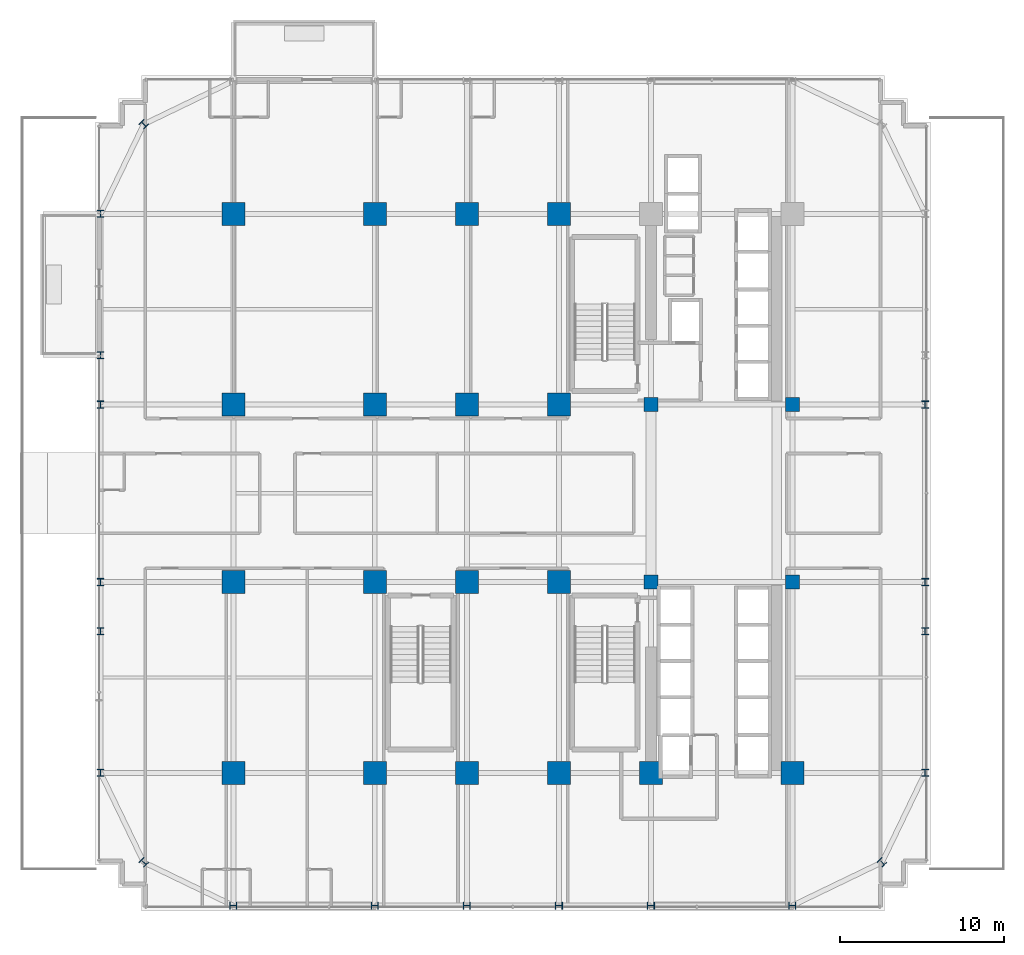
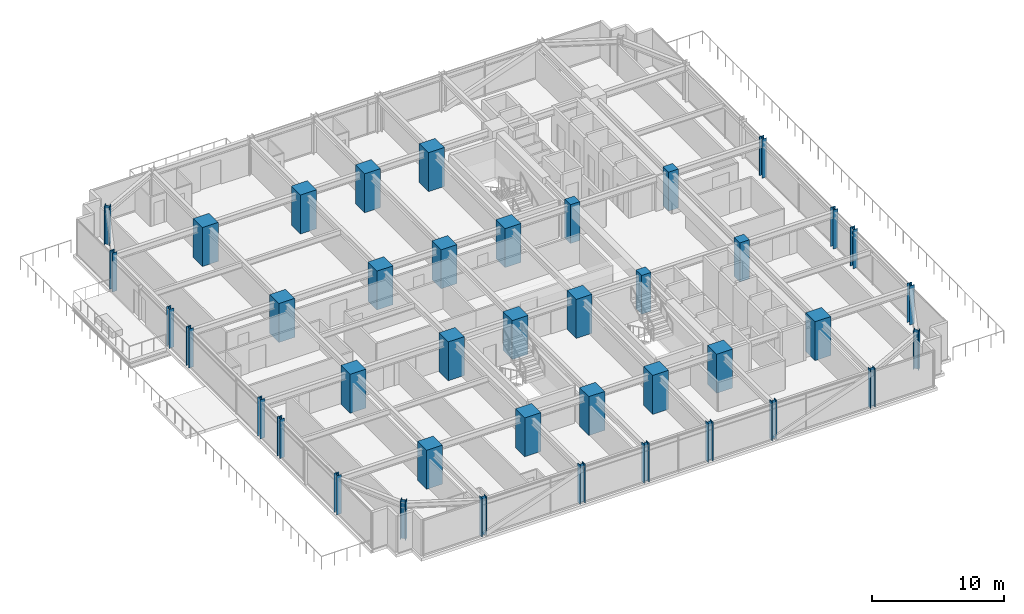
# One storey, part 1 of 39: 41 columns.
"""IFC4 building model written with IfcOpenShell, lengths in metres."""

from ifc_helpers import new_model, si_unit, direction, frame, origin, origin_2d, place, context, subcontext, project, spatial, rectangle, i_section, extrude, source, transform, mapped, material, material_profile, profile_set, type_object, element, save


model = new_model("IFC4")

# Units and contexts
model_context = context("Model", 3, precision=1e-05, world=origin(), true_north=direction((0.0, 1.0)))
body_context = subcontext(model_context, "Body", "Model", "MODEL_VIEW")
ifc_project = project(units=[si_unit("LENGTHUNIT", "METRE"), si_unit("AREAUNIT", "SQUARE_METRE"), si_unit("VOLUMEUNIT", "CUBIC_METRE"), si_unit("PLANEANGLEUNIT", "RADIAN"), si_unit("MASSUNIT", "GRAM", prefix="KILO")], contexts=[model_context])

# Site, building, storey
site_placement = place(None, origin())
site = spatial("IfcSite", under=ifc_project, at=site_placement, CompositionType="ELEMENT")
building_placement = place(site_placement, origin())
building = spatial("IfcBuilding", under=site, at=building_placement, Name="Nahalor Promenade Grand Hotel", CompositionType="ELEMENT")
storey_placement = place(building_placement, frame((0.0, 0.0, 32.39990234375)))
storey = spatial("IfcBuildingStorey", under=building, at=storey_placement, Name="L06", CompositionType="ELEMENT", Elevation=32.39990234375)

# Columns
ifc_material_1 = material(Name="Concrete B-70 (C60/75)", Category="concrete")
ifc_material_profile_1 = material_profile(ifc_material_1, rectangle(XDim=1.4, YDim=1.4, at=origin_2d()), Name="RC 1400x1400")
ifc_profile_set_1 = profile_set([ifc_material_profile_1], Name="Concrete B-70 (C60/75)")
column_type_1 = type_object("IfcColumnType", Name="Col-RC-1400", PredefinedType="COLUMN", material=ifc_profile_set_1)
shared_shape_1 = source(origin(), body_context, "Body", "SweptSolid", [
    extrude(rectangle(XDim=1.4, YDim=1.4, at=origin_2d()), origin(), (0.0, 0.0, 1.0), 3.60498046875),
])
for number, where, z_axis, x_axis, name in (
    (1, (-17.0, -17.0, 0.0), (0.0, 0.0, 1.0), (1.0, 0.0, 0.0), "COL-L06-I00"),
    (2, (-17.0, -5.39990234375, 0.0), (0.0, 0.0, 1.0), (1.0, 0.0, 0.0), "COL-L06-I01"),
    (3, (-17.0, 5.39990234375, 0.0), (0.0, 0.0, 1.0), (1.0, 0.0, 0.0), "COL-L06-I02"),
    (4, (-17.0, 17.0, 0.0), (0.0, 0.0, 1.0), (1.0, 0.0, 0.0), "COL-L06-I03"),
    (5, (-8.39990234375, -17.0, 0.0), (0.0, 0.0, 1.0), (1.0, 0.0, 0.0), "COL-L06-I10"),
    (6, (-8.39990234375, -5.39990234375, 0.0), (0.0, 0.0, 1.0), (1.0, 0.0, 0.0), "COL-L06-I11"),
    (7, (-8.39990234375, 5.39990234375, 0.0), (0.0, 0.0, 1.0), (1.0, 0.0, 0.0), "COL-L06-I12"),
    (8, (-8.39990234375, 17.0, 0.0), (0.0, 0.0, 1.0), (1.0, 0.0, 0.0), "COL-L06-I13"),
    (9, (-2.800048828125, -17.0, 0.0), (0.0, 0.0, 1.0), (1.0, 0.0, 0.0), "COL-L06-I20"),
    (10, (-2.800048828125, -5.39990234375, 0.0), (0.0, 0.0, 1.0), (1.0, 0.0, 0.0), "COL-L06-I21"),
    (11, (-2.800048828125, 5.39990234375, 0.0), (0.0, 0.0, 1.0), (1.0, 0.0, 0.0), "COL-L06-I22"),
    (12, (-2.800048828125, 17.0, 0.0), (0.0, 0.0, 1.0), (1.0, 0.0, 0.0), "COL-L06-I23"),
    (13, (2.800048828125, -17.0, 0.0), (0.0, 0.0, 1.0), (1.0, 0.0, 0.0), "COL-L06-I30"),
    (14, (2.800048828125, -5.39990234375, 0.0), (0.0, 0.0, 1.0), (1.0, 0.0, 0.0), "COL-L06-I31"),
    (15, (2.800048828125, 5.39990234375, 0.0), (0.0, 0.0, 1.0), (1.0, 0.0, 0.0), "COL-L06-I32"),
    (16, (2.800048828125, 17.0, 0.0), (0.0, 0.0, 1.0), (1.0, 0.0, 0.0), "COL-L06-I33"),
    (17, (8.39990234375, -17.0, 0.0), (0.0, 0.0, 1.0), (1.0, 0.0, 0.0), "COL-L06-I40"),
    (18, (17.0, -17.0, 0.0), (0.0, 0.0, 1.0), (1.0, 0.0, 0.0), "COL-L06-I50"),
):
    element("IfcColumn", number, at=place(storey_placement, frame(where, z_axis=z_axis, x_axis=x_axis)), inside=storey, type_object=column_type_1, Name=name, PredefinedType="COLUMN", context=body_context, shape_type="MappedRepresentation", body=[
        mapped(shared_shape_1, transform((0.0, 0.0, 0.0), scale=1.0)),
    ])
ifc_material_profile_2 = material_profile(ifc_material_1, rectangle(XDim=0.85, YDim=0.85, at=origin_2d()), Name="RC 850x850")
ifc_profile_set_2 = profile_set([ifc_material_profile_2], Name="Concrete B-70 (C60/75)")
column_type_2 = type_object("IfcColumnType", Name="Col-Pilaster-850", PredefinedType="PILASTER", material=ifc_profile_set_2)
shared_shape_2 = source(origin(), body_context, "Body", "SweptSolid", [
    extrude(rectangle(XDim=0.85, YDim=0.85, at=origin_2d()), origin(), (0.0, 0.0, 1.0), 3.60498046875),
])
for number, where, z_axis, x_axis, name in (
    (19, (8.39990234375, -5.39990234375, 0.0), (0.0, 0.0, 1.0), (1.0, 0.0, 0.0), "COL-L06-I41"),
    (20, (8.39990234375, 5.39990234375, 0.0), (0.0, 0.0, 1.0), (1.0, 0.0, 0.0), "COL-L06-I42"),
    (21, (17.0, -5.39990234375, 0.0), (0.0, 0.0, 1.0), (1.0, 0.0, 0.0), "COL-L06-I51"),
    (22, (17.0, 5.39990234375, 0.0), (0.0, 0.0, 1.0), (1.0, 0.0, 0.0), "COL-L06-I52"),
):
    element("IfcColumn", number, at=place(storey_placement, frame(where, z_axis=z_axis, x_axis=x_axis)), inside=storey, type_object=column_type_2, Name=name, PredefinedType="PILASTER", context=body_context, shape_type="MappedRepresentation", body=[
        mapped(shared_shape_2, transform((0.0, 0.0, 0.0), scale=1.0)),
    ])
ifc_material_2 = material(Name="Steel S355J2", Category="steel")
ifc_material_profile_3 = material_profile(ifc_material_2, i_section(OverallWidth=0.412, OverallDepth=0.438, WebThickness=0.0226, FlangeThickness=0.0365, at=origin_2d()), Name="HD 400x463")
ifc_profile_set_3 = profile_set([ifc_material_profile_3], Name="Steel S355J2")
column_type_3 = type_object("IfcColumnType", Name="Col-Steel-HD463", PredefinedType="COLUMN", material=ifc_profile_set_3)
shared_shape_3 = source(origin(), body_context, "Body", "SweptSolid", [
    extrude(i_section(OverallWidth=0.412, OverallDepth=0.438, WebThickness=0.0226, FlangeThickness=0.0365, at=origin_2d()), origin(), (0.0, 0.0, 1.0), 3.60498046875),
])
for number, where, z_axis, x_axis, name in (
    (23, (-25.080078125, -17.0, 0.0), (0.0, 0.0, 1.0), (1.0, 0.0, 0.0), "COL-L06-PW-W0"),
    (24, (25.080078125, -17.0, 0.0), (0.0, 0.0, 1.0), (1.0, 0.0, 0.0), "COL-L06-PW-E0"),
    (25, (-25.080078125, -8.39990234375, 0.0), (0.0, 0.0, 1.0), (1.0, 0.0, 0.0), "COL-L06-PW-W1"),
    (26, (25.080078125, -8.39990234375, 0.0), (0.0, 0.0, 1.0), (1.0, 0.0, 0.0), "COL-L06-PW-E1"),
    (27, (-25.080078125, -5.39990234375, 0.0), (0.0, 0.0, 1.0), (1.0, 0.0, 0.0), "COL-L06-PW-W2"),
    (28, (25.080078125, -5.39990234375, 0.0), (0.0, 0.0, 1.0), (1.0, 0.0, 0.0), "COL-L06-PW-E2"),
    (29, (-25.080078125, 5.39990234375, 0.0), (0.0, 0.0, 1.0), (1.0, 0.0, 0.0), "COL-L06-PW-W3"),
    (30, (25.080078125, 5.39990234375, 0.0), (0.0, 0.0, 1.0), (1.0, 0.0, 0.0), "COL-L06-PW-E3"),
    (31, (-25.080078125, 8.39990234375, 0.0), (0.0, 0.0, 1.0), (1.0, 0.0, 0.0), "COL-L06-PW-W4"),
    (32, (-25.080078125, 17.0, 0.0), (0.0, 0.0, 1.0), (1.0, 0.0, 0.0), "COL-L06-PW-W5"),
    (33, (-17.0, -25.080078125, 0.0), (0.0, 0.0, 1.0), (0.0, 1.0, 0.0), "COL-L06-PN-S0"),
    (34, (-8.39990234375, -25.080078125, 0.0), (0.0, 0.0, 1.0), (0.0, 1.0, 0.0), "COL-L06-PN-S1"),
    (35, (-2.800048828125, -25.080078125, 0.0), (0.0, 0.0, 1.0), (0.0, 1.0, 0.0), "COL-L06-PN-S2"),
    (36, (2.800048828125, -25.080078125, 0.0), (0.0, 0.0, 1.0), (0.0, 1.0, 0.0), "COL-L06-PN-S3"),
    (37, (8.39990234375, -25.080078125, 0.0), (0.0, 0.0, 1.0), (0.0, 1.0, 0.0), "COL-L06-PN-S4"),
    (38, (17.0, -25.080078125, 0.0), (0.0, 0.0, 1.0), (0.0, 1.0, 0.0), "COL-L06-PN-S5"),
    (39, (-22.449951171875, -22.449951171875, 0.0), (0.0, 0.0, 1.0), (0.707106781187, 0.707106781187, 0.0), "COL-L06-CRN-SW"),
    (40, (-22.449951171875, 22.449951171875, 0.0), (0.0, 0.0, 1.0), (0.707106781187, 0.707106781187, 0.0), "COL-L06-CRN-NW"),
    (41, (22.449951171875, -22.449951171875, 0.0), (0.0, 0.0, 1.0), (0.707106781187, 0.707106781187, 0.0), "COL-L06-CRN-SE"),
):
    element("IfcColumn", number, at=place(storey_placement, frame(where, z_axis=z_axis, x_axis=x_axis)), inside=storey, type_object=column_type_3, Name=name, PredefinedType="COLUMN", context=body_context, shape_type="MappedRepresentation", body=[
        mapped(shared_shape_3, transform((0.0, 0.0, 0.0), scale=1.0)),
    ])

save(model, "model.ifc")
